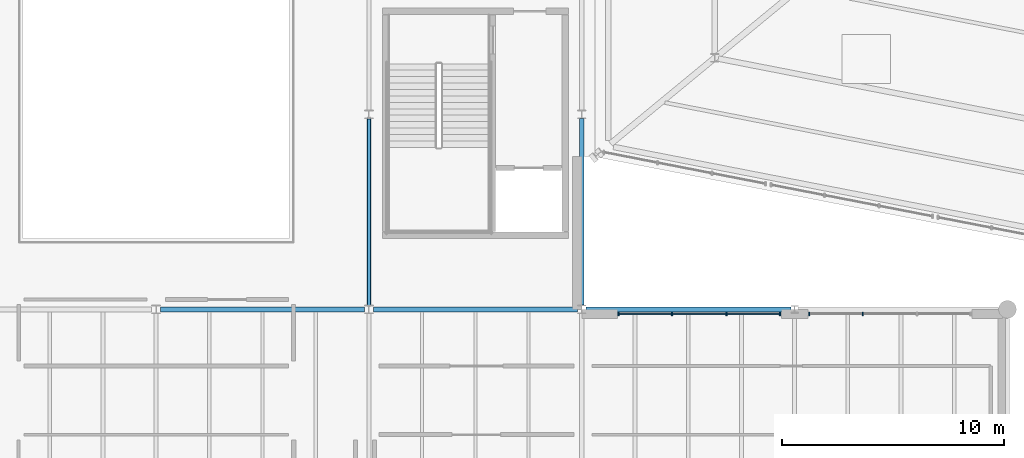
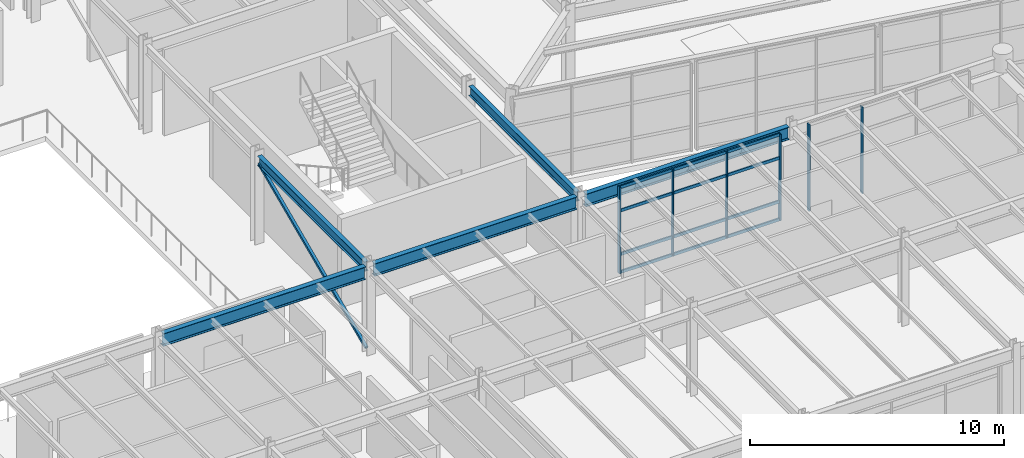
# One storey, part 29 of 88: 11 members, 5 beams, 2 elements without a shape of their own.
"""IFC4 building model written with IfcOpenShell, lengths in metres."""

from ifc_helpers import new_model, si_unit, direction, frame, origin, origin_2d, place, context, subcontext, project, spatial, rectangle, hollow_rectangle, i_section, extrude, material, material_profile, profile_set, type_object, element, aggregate, save


model = new_model("IFC4")

# Units and contexts
model_context = context("Model", 3, precision=1e-05, world=origin(), true_north=direction((0.0, 1.0)))
body_context = subcontext(model_context, "Body", "Model", "MODEL_VIEW")
ifc_project = project(units=[si_unit("LENGTHUNIT", "METRE"), si_unit("AREAUNIT", "SQUARE_METRE"), si_unit("VOLUMEUNIT", "CUBIC_METRE"), si_unit("PLANEANGLEUNIT", "RADIAN"), si_unit("MASSUNIT", "GRAM", prefix="KILO")], contexts=[model_context])

# Site, building, storey
site_placement = place(None, origin())
site = spatial("IfcSite", under=ifc_project, at=site_placement, CompositionType="ELEMENT")
building_placement = place(site_placement, origin())
building = spatial("IfcBuilding", under=site, at=building_placement, Name="Sarnbrook Museum", CompositionType="ELEMENT")
storey_placement = place(building_placement, frame((0.0, 0.0, 10.10009765625)))
storey = spatial("IfcBuildingStorey", under=building, at=storey_placement, Name="L02", CompositionType="ELEMENT", Elevation=10.10009765625)

# Beams
ifc_material_1 = material(Name="Structural Steel Grade 300PLUS (AS/NZS 3679.1, fy = 280 MPa for 17 < t <= 40 mm, 300 MPa for t <= 17 mm)", Category="steel")
ifc_material_profile_1 = material_profile(ifc_material_1, i_section(OverallWidth=0.18994140625, OverallDepth=0.45703125, WebThickness=0.009033203125, FlangeThickness=0.014404296875, FilletRadius=0.011474609375, at=origin_2d()), Name="460UB74.6")
ifc_profile_set_1 = profile_set([ifc_material_profile_1], Name="Structural Steel Grade 300PLUS (AS/NZS 3679.1, fy = 280 MPa for 17 < t <= 40 mm, 300 MPa for t <= 17 mm)")
beam_type_1 = type_object("IfcBeamType", Name="BM-UB460", PredefinedType="BEAM", material=ifc_profile_set_1)
for number, where, z_axis, x_axis, name in (
    (1, (109.60009765625, 56.990966796875, 4.021484375), (0.0, 1.0, 0.0), (-1.0, 0.0, 0.0), "Girder 12:G-H L02"),
    (2, (119.199951171875, 56.990966796875, 4.021484375), (0.0, 1.0, 0.0), (-1.0, 0.0, 0.0), "Girder 13:G-H L02"),
):
    element("IfcBeam", number, at=place(storey_placement, frame(where, z_axis=z_axis, x_axis=x_axis)), inside=storey, type_object=beam_type_1, Name=name, PredefinedType="BEAM", context=body_context, shape_type="SweptSolid", body=[
        extrude(i_section(OverallWidth=0.18994140625, OverallDepth=0.45703125, WebThickness=0.009033203125, FlangeThickness=0.014404296875, FilletRadius=0.011474609375, at=origin_2d()), origin(), (0.0, 0.0, 1.0), 8.41796875),
    ])
ifc_material_profile_2 = material_profile(ifc_material_1, i_section(OverallWidth=0.22802734375, OverallDepth=0.60693359375, WebThickness=0.01123046875, FlangeThickness=0.017333984375, FilletRadius=0.013916015625, at=origin_2d()), Name="610UB113")
ifc_profile_set_2 = profile_set([ifc_material_profile_2], Name="Structural Steel Grade 300PLUS (AS/NZS 3679.1, fy = 280 MPa for 17 < t <= 40 mm, 300 MPa for t <= 17 mm)")
beam_type_2 = type_object("IfcBeamType", Name="BM-UB610", PredefinedType="BEAM", material=ifc_profile_set_2)
for number, where, z_axis, x_axis, name in (
    (3, (100.199951171875, 56.800048828125, 3.9462890625), (1.0, 0.0, 0.0), (0.0, 1.0, 0.0), "Girder G:11-12 L02"),
    (4, (109.800048828125, 56.800048828125, 3.9462890625), (1.0, 0.0, 0.0), (0.0, 1.0, 0.0), "Girder G:12-13 L02"),
):
    element("IfcBeam", number, at=place(storey_placement, frame(where, z_axis=z_axis, x_axis=x_axis)), inside=storey, type_object=beam_type_2, Name=name, PredefinedType="BEAM", context=body_context, shape_type="SweptSolid", body=[
        extrude(i_section(OverallWidth=0.22802734375, OverallDepth=0.60693359375, WebThickness=0.01123046875, FlangeThickness=0.017333984375, FilletRadius=0.013916015625, at=origin_2d()), origin(), (0.0, 0.0, 1.0), 9.199951171875),
    ])
beam_placement = place(storey_placement, frame((119.39990234375, 56.800048828125, 3.926513671875), z_axis=(1.0, 0.0, 0.0), x_axis=(0.0, 1.0, 0.0)))
element("IfcBeam", 5, at=beam_placement, inside=storey, type_object=beam_type_2, Name="Girder G:13-14 L02", PredefinedType="BEAM", context=body_context, shape_type="SweptSolid", body=[
    extrude(i_section(OverallWidth=0.22802734375, OverallDepth=0.60693359375, WebThickness=0.01123046875, FlangeThickness=0.017333984375, FilletRadius=0.013916015625, at=origin_2d()), origin(), (0.0, 0.0, 1.0), 9.24462890625),
])

# Curtain wall, members
ifc_material_2 = material(Name="Thermally Broken Anodised Aluminium 6063-T6", Category="aluminium")
curtain_wall_type = type_object("IfcCurtainWallType", Name="CurtainWall_GalleryRibbon", PredefinedType="NOTDEFINED", material=ifc_material_2)
curtain_wall_1_placement = place(storey_placement, origin())
curtain_wall_1 = element("IfcCurtainWall", 6, at=curtain_wall_1_placement, inside=storey, type_object=curtain_wall_type, Name="Gallery Ribbon Curtain Wall L02-18.1", PredefinedType="NOTDEFINED")
ifc_material_profile_3 = material_profile(ifc_material_2, rectangle(XDim=0.06005859375, YDim=0.159912109375, at=origin_2d()), Name="ALU MULLION 60x160")
ifc_profile_set_3 = profile_set([ifc_material_profile_3], Name="Thermally Broken Anodised Aluminium 6063-T6")
member_type_1 = type_object("IfcMemberType", Name="CW_Mullion_150x65", PredefinedType="MULLION", material=ifc_profile_set_3)
member_1_placement = place(storey_placement, frame((131.873291015625, 56.590087890625, 0.0), z_axis=(0.0, 0.0, 1.0), x_axis=(1.0, 0.0, 0.0)))
member_1 = element("IfcMember", 7, at=member_1_placement, type_object=member_type_1, Name="Gallery Ribbon Curtain Wall L02-18.1 Mullion 3", PredefinedType="MULLION", context=body_context, shape_type="SweptSolid", body=[
    extrude(rectangle(XDim=0.06005859375, YDim=0.159912109375, at=origin_2d()), origin(), (0.0, 0.0, 1.0), 4.159912109375),
])
member_2_placement = place(storey_placement, frame((129.4599609375, 56.590087890625, 0.0), z_axis=(0.0, 0.0, 1.0), x_axis=(1.0, 0.0, 0.0)))
member_2 = element("IfcMember", 8, at=member_2_placement, type_object=member_type_1, Name="Gallery Ribbon Curtain Wall L02-18.1 Mullion 4", PredefinedType="MULLION", context=body_context, shape_type="SweptSolid", body=[
    extrude(rectangle(XDim=0.06005859375, YDim=0.159912109375, at=origin_2d()), origin(), (0.0, 0.0, 1.0), 4.159912109375),
])
aggregate(curtain_wall_1, [member_1, member_2])

curtain_wall_2_placement = place(storey_placement, origin())
curtain_wall_2 = element("IfcCurtainWall", 9, at=curtain_wall_2_placement, inside=storey, type_object=curtain_wall_type, Name="Gallery Ribbon Curtain Wall L02-18.2", PredefinedType="NOTDEFINED")
member_3_placement = place(storey_placement, frame((128.139892578125, 56.590087890625, 0.0), z_axis=(0.0, 0.0, 1.0), x_axis=(1.0, 0.0, 0.0)))
member_3 = element("IfcMember", 10, at=member_3_placement, type_object=member_type_1, Name="Gallery Ribbon Curtain Wall L02-18.2 Mullion 1", PredefinedType="MULLION", context=body_context, shape_type="SweptSolid", body=[
    extrude(rectangle(XDim=0.06005859375, YDim=0.159912109375, at=origin_2d()), origin(), (0.0, 0.0, 1.0), 4.159912109375),
])
member_4_placement = place(storey_placement, frame((125.726806640625, 56.590087890625, 0.0), z_axis=(0.0, 0.0, 1.0), x_axis=(1.0, 0.0, 0.0)))
member_4 = element("IfcMember", 11, at=member_4_placement, type_object=member_type_1, Name="Gallery Ribbon Curtain Wall L02-18.2 Mullion 2", PredefinedType="MULLION", context=body_context, shape_type="SweptSolid", body=[
    extrude(rectangle(XDim=0.06005859375, YDim=0.159912109375, at=origin_2d()), origin(), (0.0, 0.0, 1.0), 4.159912109375),
])
member_5_placement = place(storey_placement, frame((123.273193359375, 56.590087890625, 0.0), z_axis=(0.0, 0.0, 1.0), x_axis=(1.0, 0.0, 0.0)))
member_5 = element("IfcMember", 12, at=member_5_placement, type_object=member_type_1, Name="Gallery Ribbon Curtain Wall L02-18.2 Mullion 3", PredefinedType="MULLION", context=body_context, shape_type="SweptSolid", body=[
    extrude(rectangle(XDim=0.06005859375, YDim=0.159912109375, at=origin_2d()), origin(), (0.0, 0.0, 1.0), 4.159912109375),
])
member_6_placement = place(storey_placement, frame((120.860107421875, 56.590087890625, 0.0), z_axis=(0.0, 0.0, 1.0), x_axis=(1.0, 0.0, 0.0)))
member_6 = element("IfcMember", 13, at=member_6_placement, type_object=member_type_1, Name="Gallery Ribbon Curtain Wall L02-18.2 Mullion 4", PredefinedType="MULLION", context=body_context, shape_type="SweptSolid", body=[
    extrude(rectangle(XDim=0.06005859375, YDim=0.159912109375, at=origin_2d()), origin(), (0.0, 0.0, 1.0), 4.159912109375),
])
ifc_material_profile_4 = material_profile(ifc_material_2, rectangle(XDim=0.06494140625, YDim=0.139892578125, at=origin_2d()), Name="ALU TRANSOM 65x140")
ifc_profile_set_4 = profile_set([ifc_material_profile_4], Name="Thermally Broken Anodised Aluminium 6063-T6")
member_type_2 = type_object("IfcMemberType", Name="CW_Transom_150x65", PredefinedType="USERDEFINED", material=ifc_profile_set_4)
member_7_placement = place(storey_placement, frame((128.1298828125, 56.590087890625, 0.039794921875), z_axis=(-1.0, 0.0, 0.0), x_axis=(0.0, -1.0, 0.0)))
member_7 = element("IfcMember", 14, at=member_7_placement, type_object=member_type_2, Name="Gallery Ribbon Curtain Wall L02-18.2 Transom 1", ObjectType="TRANSOM", PredefinedType="USERDEFINED", context=body_context, shape_type="SweptSolid", body=[
    extrude(rectangle(XDim=0.06494140625, YDim=0.139892578125, at=origin_2d()), origin(), (0.0, 0.0, 1.0), 7.259765625),
])
member_8_placement = place(storey_placement, frame((128.1298828125, 56.590087890625, 0.89990234375), z_axis=(-1.0, 0.0, 0.0), x_axis=(0.0, -1.0, 0.0)))
member_8 = element("IfcMember", 15, at=member_8_placement, type_object=member_type_2, Name="Gallery Ribbon Curtain Wall L02-18.2 Transom 2", ObjectType="TRANSOM", PredefinedType="USERDEFINED", context=body_context, shape_type="SweptSolid", body=[
    extrude(rectangle(XDim=0.06494140625, YDim=0.139892578125, at=origin_2d()), origin(), (0.0, 0.0, 1.0), 7.259765625),
])
member_9_placement = place(storey_placement, frame((128.1298828125, 56.590087890625, 3.0), z_axis=(-1.0, 0.0, 0.0), x_axis=(0.0, -1.0, 0.0)))
member_9 = element("IfcMember", 16, at=member_9_placement, type_object=member_type_2, Name="Gallery Ribbon Curtain Wall L02-18.2 Transom 3", ObjectType="TRANSOM", PredefinedType="USERDEFINED", context=body_context, shape_type="SweptSolid", body=[
    extrude(rectangle(XDim=0.06494140625, YDim=0.139892578125, at=origin_2d()), origin(), (0.0, 0.0, 1.0), 7.259765625),
])
member_10_placement = place(storey_placement, frame((128.1298828125, 56.590087890625, 4.119873046875), z_axis=(-1.0, 0.0, 0.0), x_axis=(0.0, -1.0, 0.0)))
member_10 = element("IfcMember", 17, at=member_10_placement, type_object=member_type_2, Name="Gallery Ribbon Curtain Wall L02-18.2 Transom 4", ObjectType="TRANSOM", PredefinedType="USERDEFINED", context=body_context, shape_type="SweptSolid", body=[
    extrude(rectangle(XDim=0.06494140625, YDim=0.139892578125, at=origin_2d()), origin(), (0.0, 0.0, 1.0), 7.259765625),
])
aggregate(curtain_wall_2, [member_3, member_4, member_5, member_6, member_7, member_8, member_9, member_10])

# Member
ifc_material_3 = material(Name="Structural Steel Hollow Section Grade C350L0 (AS/NZS 1163, fy = 350 MPa)", Category="steel")
ifc_material_profile_5 = material_profile(ifc_material_3, hollow_rectangle(XDim=0.125, YDim=0.125, WallThickness=0.008056640625, at=origin_2d()), Name="125x125x8.0SHS")
ifc_profile_set_5 = profile_set([ifc_material_profile_5], Name="Structural Steel Hollow Section Grade C350L0 (AS/NZS 1163, fy = 350 MPa)")
member_type_3 = type_object("IfcMemberType", Name="MB-SHS125", PredefinedType="BRACE", material=ifc_profile_set_5)
member_11_placement = place(storey_placement, frame((109.60009765625, 56.97998046875, 0.119873046875), z_axis=(0.0, 0.914658395799, 0.404227682124), x_axis=(-1.0, 0.0, 0.0)))
element("IfcMember", 18, at=member_11_placement, inside=storey, type_object=member_type_3, Name="Lateral Diagonal Brace CBF-2 L02", PredefinedType="BRACE", context=body_context, shape_type="SweptSolid", body=[
    extrude(hollow_rectangle(XDim=0.125, YDim=0.125, WallThickness=0.008056640625, at=origin_2d()), origin(), (0.0, 0.0, 1.0), 9.2275390625),
])

save(model, "model.ifc")
